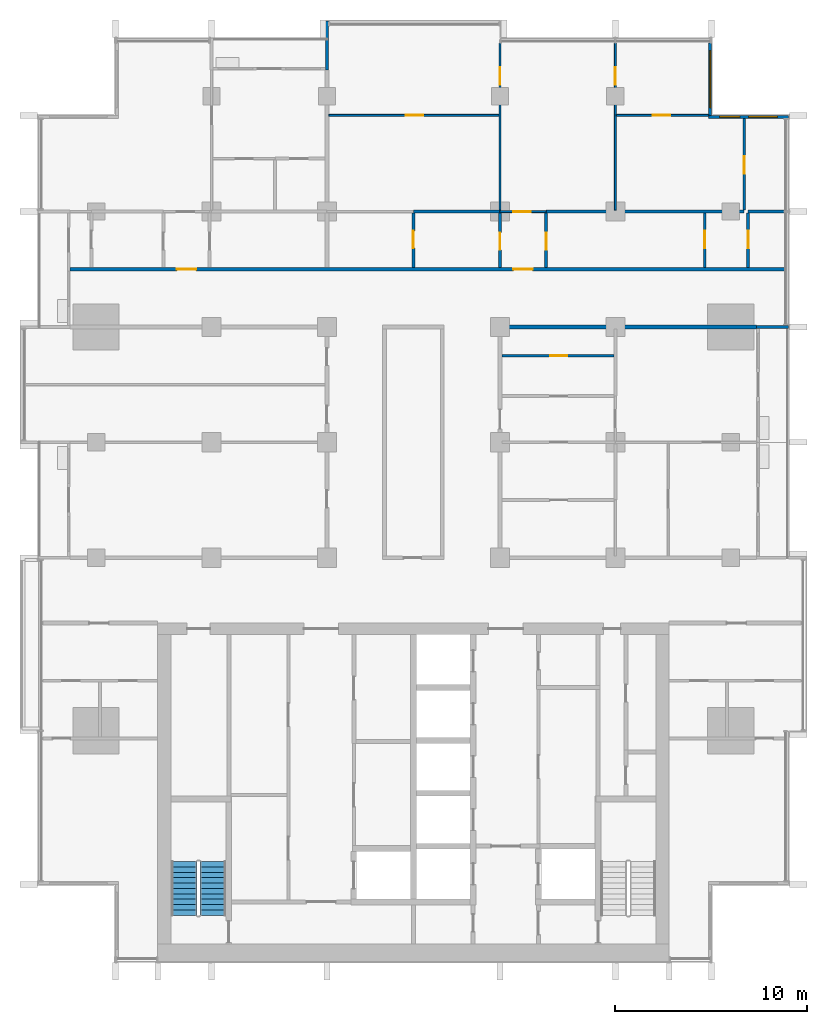
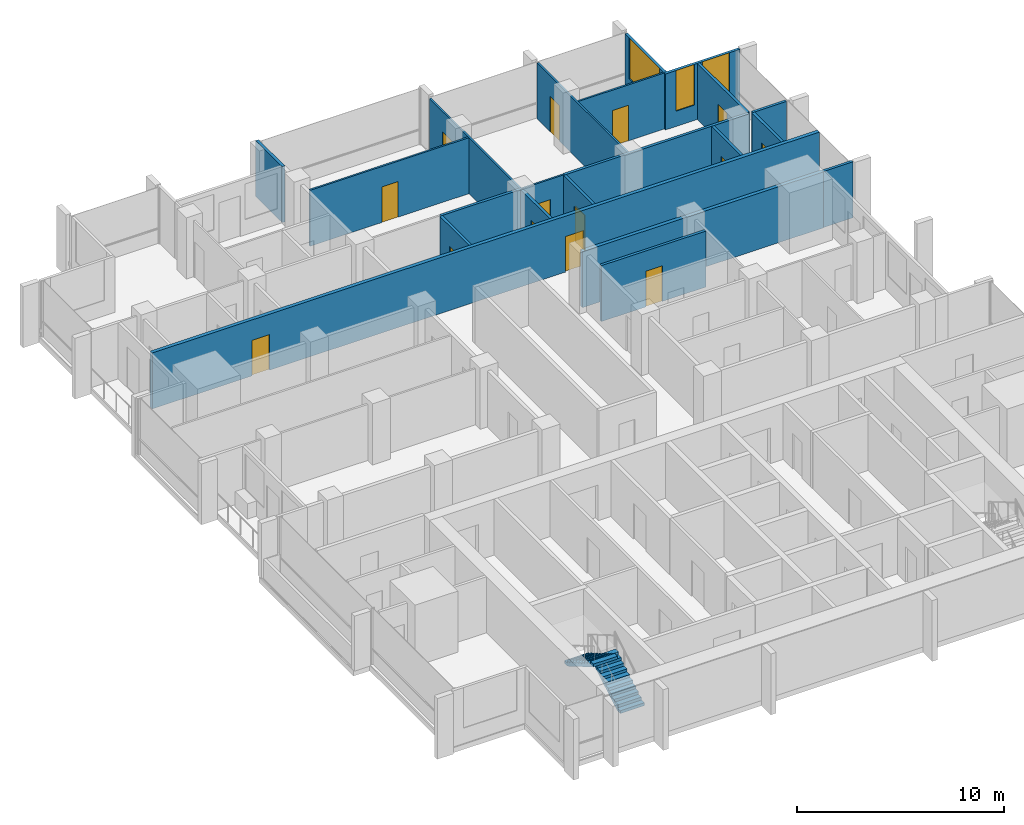
# One storey, part 11 of 17: 21 walls, 14 doors, 3 windows, 2 stair flights, 17 openings, 1 element without a shape of its own.
"""IFC4 building model written with IfcOpenShell, lengths in metres."""

from ifc_helpers import new_model, si_unit, direction, frame, frame_2d, origin, place, context, subcontext, project, spatial, polyline, rectangle, outline, extrude, material, layer, layer_set, type_object, element, fill, aggregate, save


model = new_model("IFC4")

# Units and contexts
model_context = context("Model", 3, precision=1e-05, world=origin(), true_north=direction((0.0, 1.0)))
body_context = subcontext(model_context, "Body", "Model", "MODEL_VIEW")
ifc_project = project(units=[si_unit("LENGTHUNIT", "METRE"), si_unit("AREAUNIT", "SQUARE_METRE"), si_unit("VOLUMEUNIT", "CUBIC_METRE"), si_unit("PLANEANGLEUNIT", "RADIAN"), si_unit("MASSUNIT", "GRAM", prefix="KILO")], contexts=[model_context])

# Site, building, storey
site_placement = place(None, origin())
site = spatial("IfcSite", under=ifc_project, at=site_placement, CompositionType="ELEMENT")
building_placement = place(site_placement, origin())
building = spatial("IfcBuilding", under=site, at=building_placement, Name="Finial Court Residences", CompositionType="ELEMENT")
storey_placement = place(building_placement, frame((0.0, 0.0, 152.89990234375)))
storey = spatial("IfcBuildingStorey", under=building, at=storey_placement, Name="L37", CompositionType="ELEMENT", Elevation=152.89990234375)

# Wall
ifc_material_1 = material(Name="Gypsum board")
ifc_layer_1 = layer(ifc_material_1, 0.02490234375)
ifc_material_2 = material(Name="Acoustic mineral wool in double frame")
ifc_layer_2 = layer(ifc_material_2, 0.14990234375)
ifc_layer_3 = layer(ifc_material_1, 0.02490234375)
ifc_layer_set_1 = layer_set([ifc_layer_1, ifc_layer_2, ifc_layer_3], Name="Corridor wall 200, 1 hour")
wall_type_1 = type_object("IfcWallType", Name="Corridor wall 200, 1 hour", PredefinedType="PARTITIONING", material=ifc_layer_set_1)
wall_1_placement = place(storey_placement, frame((4.39990234375, 7.5, 0.0), z_axis=(0.0, 0.0, 1.0), x_axis=(1.0, 0.0, 0.0)))
element("IfcWall", 1, at=wall_1_placement, inside=storey, type_object=wall_type_1, Name="Partition L37-018", PredefinedType="PARTITIONING", context=body_context, shape_type="SweptSolid", body=[
    extrude(rectangle(XDim=13.4501953125, YDim=0.199951171875, at=frame_2d((6.72509765625, 0.0))), origin(), (0.0, 0.0, 1.0), 3.300048828125),
])

# Wall, openings, doors
wall_2_placement = place(storey_placement, frame((-17.85009765625, 10.5, 0.0), z_axis=(0.0, 0.0, 1.0), x_axis=(1.0, 0.0, 0.0)))
wall_2 = element("IfcWall", 2, at=wall_2_placement, inside=storey, type_object=wall_type_1, Name="Partition L37-019", PredefinedType="PARTITIONING", context=body_context, shape_type="SweptSolid", body=[
    extrude(rectangle(XDim=37.2001953125, YDim=0.199951171875, at=frame_2d((18.60009765625, 0.0))), origin(), (0.0, 0.0, 1.0), 3.300048828125),
])
opening_1_placement = place(wall_2_placement, frame((5.550048828125, 0.0, 0.0)))
opening_1 = element("IfcOpeningElement", 3, at=opening_1_placement, cuts=wall_2, Name="Opening L37-D015", PredefinedType="OPENING", context=body_context, shape_type="SweptSolid", body=[
    extrude(rectangle(XDim=1.0, YDim=2.10009765625, at=frame_2d((0.5, 1.050048828125))), frame((0.0, 0.10986328125, 0.0), z_axis=(0.0, -1.0, 0.0), x_axis=(1.0, 0.0, 0.0)), (0.0, 0.0, 1.0), 0.219970703125),
])
opening_2_placement = place(wall_2_placement, frame((23.050048828125, 0.0, 0.0)))
opening_2 = element("IfcOpeningElement", 4, at=opening_2_placement, cuts=wall_2, Name="Opening L37-D016", PredefinedType="OPENING", context=body_context, shape_type="SweptSolid", body=[
    extrude(rectangle(XDim=1.0, YDim=2.10009765625, at=frame_2d((0.5, 1.050048828125))), frame((0.0, 0.10986328125, 0.0), z_axis=(0.0, -1.0, 0.0), x_axis=(1.0, 0.0, 0.0)), (0.0, 0.0, 1.0), 0.219970703125),
])
ifc_material_3 = material(Name="Timber door leaf in hollow metal frame", Category="wood")
door_type_1 = type_object("IfcDoorType", Name="Fire door set 1000 x 2100, 30 minutes", OperationType="SINGLE_SWING_LEFT", PredefinedType="DOOR", material=ifc_material_3)
door_1_placement = place(opening_1_placement, origin())
door_1 = element("IfcDoor", 5, at=door_1_placement, inside=storey, type_object=door_type_1, Name="Door L37-D015", OperationType="SINGLE_SWING_RIGHT", OverallHeight=2.10009765625, OverallWidth=1.0, PredefinedType="DOOR", context=body_context, shape_type="SweptSolid", body=[
    extrude(rectangle(XDim=1.0, YDim=2.10009765625, at=frame_2d((0.5, 1.050048828125))), frame((0.0, 0.02490234375, 0.0), z_axis=(0.0, -1.0, 0.0), x_axis=(1.0, 0.0, 0.0)), (0.0, 0.0, 1.0), 0.050048828125),
])
fill(opening_1, door_1)
door_2_placement = place(opening_2_placement, origin())
door_2 = element("IfcDoor", 6, at=door_2_placement, inside=storey, type_object=door_type_1, Name="Door L37-D016", OperationType="SINGLE_SWING_LEFT", OverallHeight=2.10009765625, OverallWidth=1.0, PredefinedType="DOOR", context=body_context, shape_type="SweptSolid", body=[
    extrude(rectangle(XDim=1.0, YDim=2.10009765625, at=frame_2d((0.5, 1.050048828125))), frame((0.0, 0.02490234375, 0.0), z_axis=(0.0, -1.0, 0.0), x_axis=(1.0, 0.0, 0.0)), (0.0, 0.0, 1.0), 0.050048828125),
])
fill(opening_2, door_2)

# Wall, opening, door
ifc_layer_4 = layer(ifc_material_1, 0.012451171875)
ifc_material_4 = material(Name="Mineral wool in light-gauge frame")
ifc_layer_5 = layer(ifc_material_4, 0.074951171875)
ifc_layer_6 = layer(ifc_material_1, 0.012451171875)
ifc_layer_set_2 = layer_set([ifc_layer_4, ifc_layer_5, ifc_layer_6], Name="Gypsum board partition 100")
wall_type_2 = type_object("IfcWallType", Name="Gypsum board partition 100", PredefinedType="PARTITIONING", material=ifc_layer_set_2)
wall_3_placement = place(storey_placement, frame((4.5, 13.5, 0.0), z_axis=(0.0, 0.0, 1.0), x_axis=(1.0, 0.0, 0.0)))
wall_3 = element("IfcWall", 7, at=wall_3_placement, inside=storey, type_object=wall_type_2, Name="Partition L37-023", PredefinedType="PARTITIONING", context=body_context, shape_type="SweptSolid", body=[
    extrude(rectangle(XDim=2.39990234375, YDim=0.10009765625, at=frame_2d((1.199951171875, 0.0))), origin(), (0.0, 0.0, 1.0), 3.300048828125),
])
opening_3_placement = place(wall_3_placement, frame((0.699951171875, 0.0, 0.0)))
opening_3 = element("IfcOpeningElement", 8, at=opening_3_placement, cuts=wall_3, Name="Opening L37-D018", PredefinedType="OPENING", context=body_context, shape_type="SweptSolid", body=[
    extrude(rectangle(XDim=0.89990234375, YDim=2.10009765625, at=frame_2d((0.449951171875, 1.050048828125))), frame((0.0, 0.06005859375, 0.0), z_axis=(0.0, -1.0, 0.0), x_axis=(1.0, 0.0, 0.0)), (0.0, 0.0, 1.0), 0.1201171875),
])
ifc_material_5 = material(Name="Timber door leaf in timber frame", Category="wood")
door_type_2 = type_object("IfcDoorType", Name="Door set 900 x 2100", OperationType="SINGLE_SWING_LEFT", PredefinedType="DOOR", material=ifc_material_5)
door_3_placement = place(opening_3_placement, origin())
door_3 = element("IfcDoor", 9, at=door_3_placement, inside=storey, type_object=door_type_2, Name="Door L37-D018", OperationType="SINGLE_SWING_LEFT", OverallHeight=2.10009765625, OverallWidth=0.89990234375, PredefinedType="DOOR", context=body_context, shape_type="SweptSolid", body=[
    extrude(rectangle(XDim=0.89990234375, YDim=2.10009765625, at=frame_2d((0.449951171875, 1.050048828125))), frame((0.0, 0.02490234375, 0.0), z_axis=(0.0, -1.0, 0.0), x_axis=(1.0, 0.0, 0.0)), (0.0, 0.0, 1.0), 0.050048828125),
])
fill(opening_3, door_3)

wall_4_placement = place(storey_placement, frame((-4.39990234375, 18.5, 0.0), z_axis=(0.0, 0.0, 1.0), x_axis=(1.0, 0.0, 0.0)))
wall_4 = element("IfcWall", 10, at=wall_4_placement, inside=storey, type_object=wall_type_2, Name="Partition L37-031", PredefinedType="PARTITIONING", context=body_context, shape_type="SweptSolid", body=[
    extrude(rectangle(XDim=8.849853515625, YDim=0.10009765625, at=frame_2d((4.4248046875, 0.0))), origin(), (0.0, 0.0, 1.0), 3.300048828125),
])
opening_4_placement = place(wall_4_placement, frame((4.0, 0.0, 0.0)))
opening_4 = element("IfcOpeningElement", 11, at=opening_4_placement, cuts=wall_4, Name="Opening L37-D021", PredefinedType="OPENING", context=body_context, shape_type="SweptSolid", body=[
    extrude(rectangle(XDim=0.89990234375, YDim=2.10009765625, at=frame_2d((0.449951171875, 1.050048828125))), frame((0.0, 0.06005859375, 0.0), z_axis=(0.0, -1.0, 0.0), x_axis=(1.0, 0.0, 0.0)), (0.0, 0.0, 1.0), 0.1201171875),
])
door_4_placement = place(opening_4_placement, origin())
door_4 = element("IfcDoor", 12, at=door_4_placement, inside=storey, type_object=door_type_2, Name="Door L37-D021", OperationType="SINGLE_SWING_LEFT", OverallHeight=2.10009765625, OverallWidth=0.89990234375, PredefinedType="DOOR", context=body_context, shape_type="SweptSolid", body=[
    extrude(rectangle(XDim=0.89990234375, YDim=2.10009765625, at=frame_2d((0.449951171875, 1.050048828125))), frame((0.0, 0.02490234375, 0.0), z_axis=(0.0, -1.0, 0.0), x_axis=(1.0, 0.0, 0.0)), (0.0, 0.0, 1.0), 0.050048828125),
])
fill(opening_4, door_4)

wall_5_placement = place(storey_placement, frame((10.550048828125, 18.5, 0.0), z_axis=(0.0, 0.0, 1.0), x_axis=(1.0, 0.0, 0.0)))
wall_5 = element("IfcWall", 13, at=wall_5_placement, inside=storey, type_object=wall_type_2, Name="Partition L37-032", PredefinedType="PARTITIONING", context=body_context, shape_type="SweptSolid", body=[
    extrude(rectangle(XDim=4.800048828125, YDim=0.10009765625, at=frame_2d((2.39990234375, 0.0))), origin(), (0.0, 0.0, 1.0), 3.300048828125),
])
opening_5_placement = place(wall_5_placement, frame((1.89990234375, 0.0, 0.0)))
opening_5 = element("IfcOpeningElement", 14, at=opening_5_placement, cuts=wall_5, Name="Opening L37-D022", PredefinedType="OPENING", context=body_context, shape_type="SweptSolid", body=[
    extrude(rectangle(XDim=0.89990234375, YDim=2.10009765625, at=frame_2d((0.449951171875, 1.050048828125))), frame((0.0, 0.06005859375, 0.0), z_axis=(0.0, -1.0, 0.0), x_axis=(1.0, 0.0, 0.0)), (0.0, 0.0, 1.0), 0.1201171875),
])
door_5_placement = place(opening_5_placement, origin())
door_5 = element("IfcDoor", 15, at=door_5_placement, inside=storey, type_object=door_type_2, Name="Door L37-D022", OperationType="SINGLE_SWING_RIGHT", OverallHeight=2.10009765625, OverallWidth=0.89990234375, PredefinedType="DOOR", context=body_context, shape_type="SweptSolid", body=[
    extrude(rectangle(XDim=0.89990234375, YDim=2.10009765625, at=frame_2d((0.449951171875, 1.050048828125))), frame((0.0, 0.02490234375, 0.0), z_axis=(0.0, -1.0, 0.0), x_axis=(1.0, 0.0, 0.0)), (0.0, 0.0, 1.0), 0.050048828125),
])
fill(opening_5, door_5)

wall_6_placement = place(storey_placement, frame((4.5, 13.574951171875, 0.0), z_axis=(0.0, 0.0, 1.0), x_axis=(0.0, 1.0, 0.0)))
wall_6 = element("IfcWall", 16, at=wall_6_placement, inside=storey, type_object=wall_type_2, Name="Partition L37-046", PredefinedType="PARTITIONING", context=body_context, shape_type="SweptSolid", body=[
    extrude(rectangle(XDim=8.6875, YDim=0.10009765625, at=frame_2d((4.34375, 0.0))), origin(), (0.0, 0.0, 1.0), 3.300048828125),
])
opening_6_placement = place(wall_6_placement, frame((6.52490234375, 0.0, 0.0)))
opening_6 = element("IfcOpeningElement", 17, at=opening_6_placement, cuts=wall_6, Name="Opening L37-D032", PredefinedType="OPENING", context=body_context, shape_type="SweptSolid", body=[
    extrude(rectangle(XDim=0.89990234375, YDim=2.10009765625, at=frame_2d((0.449951171875, 1.050048828125))), frame((0.0, 0.06005859375, 0.0), z_axis=(0.0, -1.0, 0.0), x_axis=(1.0, 0.0, 0.0)), (0.0, 0.0, 1.0), 0.1201171875),
])
door_6_placement = place(opening_6_placement, origin())
door_6 = element("IfcDoor", 18, at=door_6_placement, inside=storey, type_object=door_type_2, Name="Door L37-D032", OperationType="SINGLE_SWING_LEFT", OverallHeight=2.10009765625, OverallWidth=0.89990234375, PredefinedType="DOOR", context=body_context, shape_type="SweptSolid", body=[
    extrude(rectangle(XDim=0.89990234375, YDim=2.10009765625, at=frame_2d((0.449951171875, 1.050048828125))), frame((0.0, 0.02490234375, 0.0), z_axis=(0.0, -1.0, 0.0), x_axis=(1.0, 0.0, 0.0)), (0.0, 0.0, 1.0), 0.050048828125),
])
fill(opening_6, door_6)

wall_7_placement = place(storey_placement, frame((10.5, 13.574951171875, 0.0), z_axis=(0.0, 0.0, 1.0), x_axis=(0.0, 1.0, 0.0)))
wall_7 = element("IfcWall", 19, at=wall_7_placement, inside=storey, type_object=wall_type_2, Name="Partition L37-051", PredefinedType="PARTITIONING", context=body_context, shape_type="SweptSolid", body=[
    extrude(rectangle(XDim=8.6875, YDim=0.10009765625, at=frame_2d((4.34375, 0.0))), origin(), (0.0, 0.0, 1.0), 3.300048828125),
])
opening_7_placement = place(wall_7_placement, frame((6.52490234375, 0.0, 0.0)))
opening_7 = element("IfcOpeningElement", 20, at=opening_7_placement, cuts=wall_7, Name="Opening L37-D036", PredefinedType="OPENING", context=body_context, shape_type="SweptSolid", body=[
    extrude(rectangle(XDim=0.89990234375, YDim=2.10009765625, at=frame_2d((0.449951171875, 1.050048828125))), frame((0.0, 0.06005859375, 0.0), z_axis=(0.0, -1.0, 0.0), x_axis=(1.0, 0.0, 0.0)), (0.0, 0.0, 1.0), 0.1201171875),
])
door_7_placement = place(opening_7_placement, origin())
door_7 = element("IfcDoor", 21, at=door_7_placement, inside=storey, type_object=door_type_2, Name="Door L37-D036", OperationType="SINGLE_SWING_RIGHT", OverallHeight=2.10009765625, OverallWidth=0.89990234375, PredefinedType="DOOR", context=body_context, shape_type="SweptSolid", body=[
    extrude(rectangle(XDim=0.89990234375, YDim=2.10009765625, at=frame_2d((0.449951171875, 1.050048828125))), frame((0.0, 0.02490234375, 0.0), z_axis=(0.0, -1.0, 0.0), x_axis=(1.0, 0.0, 0.0)), (0.0, 0.0, 1.0), 0.050048828125),
])
fill(opening_7, door_7)

ifc_material_6 = material(Name="Moisture-resistant gypsum board")
ifc_layer_7 = layer(ifc_material_6, 0.012451171875)
ifc_layer_8 = layer(ifc_material_4, 0.125)
ifc_layer_9 = layer(ifc_material_6, 0.012451171875)
ifc_layer_set_3 = layer_set([ifc_layer_7, ifc_layer_8, ifc_layer_9], Name="Gypsum board wet-area partition 150")
wall_type_3 = type_object("IfcWallType", Name="Gypsum board wet-area partition 150", PredefinedType="PARTITIONING", material=ifc_layer_set_3)
wall_8_placement = place(storey_placement, frame((4.60009765625, 6.0, 0.0), z_axis=(0.0, 0.0, 1.0), x_axis=(1.0, 0.0, 0.0)))
wall_8 = element("IfcWall", 22, at=wall_8_placement, inside=storey, type_object=wall_type_3, Name="Partition L37-015", PredefinedType="PARTITIONING", context=body_context, shape_type="SweptSolid", body=[
    extrude(rectangle(XDim=5.824951171875, YDim=0.14990234375, at=frame_2d((2.91259765625, 0.0))), origin(), (0.0, 0.0, 1.0), 3.300048828125),
])
opening_8_placement = place(wall_8_placement, frame((2.5, 0.0, 0.0)))
opening_8 = element("IfcOpeningElement", 23, at=opening_8_placement, cuts=wall_8, Name="Opening L37-D014", PredefinedType="OPENING", context=body_context, shape_type="SweptSolid", body=[
    extrude(rectangle(XDim=0.89990234375, YDim=2.10009765625, at=frame_2d((0.449951171875, 1.050048828125))), frame((0.0, 0.0849609375, 0.0), z_axis=(0.0, -1.0, 0.0), x_axis=(1.0, 0.0, 0.0)), (0.0, 0.0, 1.0), 0.169921875),
])
door_8_placement = place(opening_8_placement, origin())
door_8 = element("IfcDoor", 24, at=door_8_placement, inside=storey, type_object=door_type_2, Name="Door L37-D014", OperationType="SINGLE_SWING_LEFT", OverallHeight=2.10009765625, OverallWidth=0.89990234375, PredefinedType="DOOR", context=body_context, shape_type="SweptSolid", body=[
    extrude(rectangle(XDim=0.89990234375, YDim=2.10009765625, at=frame_2d((0.449951171875, 1.050048828125))), frame((0.0, 0.02490234375, 0.0), z_axis=(0.0, -1.0, 0.0), x_axis=(1.0, 0.0, 0.0)), (0.0, 0.0, 1.0), 0.050048828125),
])
fill(opening_8, door_8)

# Walls
wall_9_placement = place(storey_placement, frame((0.0, 13.5, 0.0), z_axis=(0.0, 0.0, 1.0), x_axis=(1.0, 0.0, 0.0)))
element("IfcWall", 25, at=wall_9_placement, inside=storey, type_object=wall_type_3, Name="Partition L37-026", PredefinedType="PARTITIONING", context=body_context, shape_type="SweptSolid", body=[
    extrude(rectangle(XDim=4.5, YDim=0.14990234375, at=frame_2d((2.25, 0.0))), origin(), (0.0, 0.0, 1.0), 3.300048828125),
])
wall_10_placement = place(storey_placement, frame((6.89990234375, 13.5, 0.0), z_axis=(0.0, 0.0, 1.0), x_axis=(1.0, 0.0, 0.0)))
element("IfcWall", 26, at=wall_10_placement, inside=storey, type_object=wall_type_3, Name="Partition L37-027", PredefinedType="PARTITIONING", context=body_context, shape_type="SweptSolid", body=[
    extrude(rectangle(XDim=10.300048828125, YDim=0.14990234375, at=frame_2d((5.14990234375, 0.0))), origin(), (0.0, 0.0, 1.0), 3.300048828125),
])
wall_11_placement = place(storey_placement, frame((17.39990234375, 13.5, 0.0), z_axis=(0.0, 0.0, 1.0), x_axis=(1.0, 0.0, 0.0)))
element("IfcWall", 27, at=wall_11_placement, inside=storey, type_object=wall_type_3, Name="Partition L37-028", PredefinedType="PARTITIONING", context=body_context, shape_type="SweptSolid", body=[
    extrude(rectangle(XDim=1.862548828125, YDim=0.14990234375, at=frame_2d((0.93115234375, 0.0))), origin(), (0.0, 0.0, 1.0), 3.300048828125),
])

# Wall, opening, door
wall_12_placement = place(storey_placement, frame((0.0, 10.60009765625, 0.0), z_axis=(0.0, 0.0, 1.0), x_axis=(0.0, 1.0, 0.0)))
wall_12 = element("IfcWall", 28, at=wall_12_placement, inside=storey, type_object=wall_type_3, Name="Partition L37-043", PredefinedType="PARTITIONING", context=body_context, shape_type="SweptSolid", body=[
    extrude(rectangle(XDim=2.824951171875, YDim=0.14990234375, at=frame_2d((1.41259765625, 0.0))), origin(), (0.0, 0.0, 1.0), 3.300048828125),
])
opening_9_placement = place(wall_12_placement, frame((1.0, 0.0, 0.0)))
opening_9 = element("IfcOpeningElement", 29, at=opening_9_placement, cuts=wall_12, Name="Opening L37-D030", PredefinedType="OPENING", context=body_context, shape_type="SweptSolid", body=[
    extrude(rectangle(XDim=0.89990234375, YDim=2.10009765625, at=frame_2d((0.449951171875, 1.050048828125))), frame((0.0, 0.0849609375, 0.0), z_axis=(0.0, -1.0, 0.0), x_axis=(1.0, 0.0, 0.0)), (0.0, 0.0, 1.0), 0.169921875),
])
door_9_placement = place(opening_9_placement, origin())
door_9 = element("IfcDoor", 30, at=door_9_placement, inside=storey, type_object=door_type_2, Name="Door L37-D030", OperationType="SINGLE_SWING_RIGHT", OverallHeight=2.10009765625, OverallWidth=0.89990234375, PredefinedType="DOOR", context=body_context, shape_type="SweptSolid", body=[
    extrude(rectangle(XDim=0.89990234375, YDim=2.10009765625, at=frame_2d((0.449951171875, 1.050048828125))), frame((0.0, 0.02490234375, 0.0), z_axis=(0.0, -1.0, 0.0), x_axis=(1.0, 0.0, 0.0)), (0.0, 0.0, 1.0), 0.050048828125),
])
fill(opening_9, door_9)

wall_13_placement = place(storey_placement, frame((4.5, 10.60009765625, 0.0), z_axis=(0.0, 0.0, 1.0), x_axis=(0.0, 1.0, 0.0)))
wall_13 = element("IfcWall", 31, at=wall_13_placement, inside=storey, type_object=wall_type_3, Name="Partition L37-047", PredefinedType="PARTITIONING", context=body_context, shape_type="SweptSolid", body=[
    extrude(rectangle(XDim=2.824951171875, YDim=0.14990234375, at=frame_2d((1.41259765625, 0.0))), origin(), (0.0, 0.0, 1.0), 3.300048828125),
])
opening_10_placement = place(wall_13_placement, frame((0.89990234375, 0.0, 0.0)))
opening_10 = element("IfcOpeningElement", 32, at=opening_10_placement, cuts=wall_13, Name="Opening L37-D033", PredefinedType="OPENING", context=body_context, shape_type="SweptSolid", body=[
    extrude(rectangle(XDim=0.89990234375, YDim=2.10009765625, at=frame_2d((0.449951171875, 1.050048828125))), frame((0.0, 0.0849609375, 0.0), z_axis=(0.0, -1.0, 0.0), x_axis=(1.0, 0.0, 0.0)), (0.0, 0.0, 1.0), 0.169921875),
])
door_10_placement = place(opening_10_placement, origin())
door_10 = element("IfcDoor", 33, at=door_10_placement, inside=storey, type_object=door_type_2, Name="Door L37-D033", OperationType="SINGLE_SWING_RIGHT", OverallHeight=2.10009765625, OverallWidth=0.89990234375, PredefinedType="DOOR", context=body_context, shape_type="SweptSolid", body=[
    extrude(rectangle(XDim=0.89990234375, YDim=2.10009765625, at=frame_2d((0.449951171875, 1.050048828125))), frame((0.0, 0.02490234375, 0.0), z_axis=(0.0, -1.0, 0.0), x_axis=(1.0, 0.0, 0.0)), (0.0, 0.0, 1.0), 0.050048828125),
])
fill(opening_10, door_10)

wall_14_placement = place(storey_placement, frame((6.89990234375, 10.60009765625, 0.0), z_axis=(0.0, 0.0, 1.0), x_axis=(0.0, 1.0, 0.0)))
wall_14 = element("IfcWall", 34, at=wall_14_placement, inside=storey, type_object=wall_type_3, Name="Partition L37-048", PredefinedType="PARTITIONING", context=body_context, shape_type="SweptSolid", body=[
    extrude(rectangle(XDim=2.824951171875, YDim=0.14990234375, at=frame_2d((1.41259765625, 0.0))), origin(), (0.0, 0.0, 1.0), 3.300048828125),
])
opening_11_placement = place(wall_14_placement, frame((0.89990234375, 0.0, 0.0)))
opening_11 = element("IfcOpeningElement", 35, at=opening_11_placement, cuts=wall_14, Name="Opening L37-D034", PredefinedType="OPENING", context=body_context, shape_type="SweptSolid", body=[
    extrude(rectangle(XDim=0.89990234375, YDim=2.10009765625, at=frame_2d((0.449951171875, 1.050048828125))), frame((0.0, 0.0849609375, 0.0), z_axis=(0.0, -1.0, 0.0), x_axis=(1.0, 0.0, 0.0)), (0.0, 0.0, 1.0), 0.169921875),
])
door_11_placement = place(opening_11_placement, origin())
door_11 = element("IfcDoor", 36, at=door_11_placement, inside=storey, type_object=door_type_2, Name="Door L37-D034", OperationType="SINGLE_SWING_LEFT", OverallHeight=2.10009765625, OverallWidth=0.89990234375, PredefinedType="DOOR", context=body_context, shape_type="SweptSolid", body=[
    extrude(rectangle(XDim=0.89990234375, YDim=2.10009765625, at=frame_2d((0.449951171875, 1.050048828125))), frame((0.0, 0.02490234375, 0.0), z_axis=(0.0, -1.0, 0.0), x_axis=(1.0, 0.0, 0.0)), (0.0, 0.0, 1.0), 0.050048828125),
])
fill(opening_11, door_11)

wall_15_placement = place(storey_placement, frame((15.14990234375, 10.60009765625, 0.0), z_axis=(0.0, 0.0, 1.0), x_axis=(0.0, 1.0, 0.0)))
wall_15 = element("IfcWall", 37, at=wall_15_placement, inside=storey, type_object=wall_type_3, Name="Partition L37-055", PredefinedType="PARTITIONING", context=body_context, shape_type="SweptSolid", body=[
    extrude(rectangle(XDim=2.824951171875, YDim=0.14990234375, at=frame_2d((1.41259765625, 0.0))), origin(), (0.0, 0.0, 1.0), 3.300048828125),
])
opening_12_placement = place(wall_15_placement, frame((1.0, 0.0, 0.0)))
opening_12 = element("IfcOpeningElement", 38, at=opening_12_placement, cuts=wall_15, Name="Opening L37-D038", PredefinedType="OPENING", context=body_context, shape_type="SweptSolid", body=[
    extrude(rectangle(XDim=0.89990234375, YDim=2.10009765625, at=frame_2d((0.449951171875, 1.050048828125))), frame((0.0, 0.0849609375, 0.0), z_axis=(0.0, -1.0, 0.0), x_axis=(1.0, 0.0, 0.0)), (0.0, 0.0, 1.0), 0.169921875),
])
door_12_placement = place(opening_12_placement, origin())
door_12 = element("IfcDoor", 39, at=door_12_placement, inside=storey, type_object=door_type_2, Name="Door L37-D038", OperationType="SINGLE_SWING_RIGHT", OverallHeight=2.10009765625, OverallWidth=0.89990234375, PredefinedType="DOOR", context=body_context, shape_type="SweptSolid", body=[
    extrude(rectangle(XDim=0.89990234375, YDim=2.10009765625, at=frame_2d((0.449951171875, 1.050048828125))), frame((0.0, 0.02490234375, 0.0), z_axis=(0.0, -1.0, 0.0), x_axis=(1.0, 0.0, 0.0)), (0.0, 0.0, 1.0), 0.050048828125),
])
fill(opening_12, door_12)

wall_16_placement = place(storey_placement, frame((17.199951171875, 13.574951171875, 0.0), z_axis=(0.0, 0.0, 1.0), x_axis=(0.0, 1.0, 0.0)))
wall_16 = element("IfcWall", 40, at=wall_16_placement, inside=storey, type_object=wall_type_3, Name="Partition L37-057", PredefinedType="PARTITIONING", context=body_context, shape_type="SweptSolid", body=[
    extrude(rectangle(XDim=4.775146484375, YDim=0.14990234375, at=frame_2d((2.3876953125, 0.0))), origin(), (0.0, 0.0, 1.0), 3.300048828125),
])
opening_13_placement = place(wall_16_placement, frame((1.89990234375, 0.0, 0.0)))
opening_13 = element("IfcOpeningElement", 41, at=opening_13_placement, cuts=wall_16, Name="Opening L37-D039", PredefinedType="OPENING", context=body_context, shape_type="SweptSolid", body=[
    extrude(rectangle(XDim=0.89990234375, YDim=2.10009765625, at=frame_2d((0.449951171875, 1.050048828125))), frame((0.0, 0.0849609375, 0.0), z_axis=(0.0, -1.0, 0.0), x_axis=(1.0, 0.0, 0.0)), (0.0, 0.0, 1.0), 0.169921875),
])
door_13_placement = place(opening_13_placement, origin())
door_13 = element("IfcDoor", 42, at=door_13_placement, inside=storey, type_object=door_type_2, Name="Door L37-D039", OperationType="SINGLE_SWING_LEFT", OverallHeight=2.10009765625, OverallWidth=0.89990234375, PredefinedType="DOOR", context=body_context, shape_type="SweptSolid", body=[
    extrude(rectangle(XDim=0.89990234375, YDim=2.10009765625, at=frame_2d((0.449951171875, 1.050048828125))), frame((0.0, 0.02490234375, 0.0), z_axis=(0.0, -1.0, 0.0), x_axis=(1.0, 0.0, 0.0)), (0.0, 0.0, 1.0), 0.050048828125),
])
fill(opening_13, door_13)

wall_17_placement = place(storey_placement, frame((17.39990234375, 10.60009765625, 0.0), z_axis=(0.0, 0.0, 1.0), x_axis=(0.0, 1.0, 0.0)))
wall_17 = element("IfcWall", 43, at=wall_17_placement, inside=storey, type_object=wall_type_3, Name="Partition L37-058", PredefinedType="PARTITIONING", context=body_context, shape_type="SweptSolid", body=[
    extrude(rectangle(XDim=2.824951171875, YDim=0.14990234375, at=frame_2d((1.41259765625, 0.0))), origin(), (0.0, 0.0, 1.0), 3.300048828125),
])
opening_14_placement = place(wall_17_placement, frame((1.0, 0.0, 0.0)))
opening_14 = element("IfcOpeningElement", 44, at=opening_14_placement, cuts=wall_17, Name="Opening L37-D040", PredefinedType="OPENING", context=body_context, shape_type="SweptSolid", body=[
    extrude(rectangle(XDim=0.89990234375, YDim=2.10009765625, at=frame_2d((0.449951171875, 1.050048828125))), frame((0.0, 0.0849609375, 0.0), z_axis=(0.0, -1.0, 0.0), x_axis=(1.0, 0.0, 0.0)), (0.0, 0.0, 1.0), 0.169921875),
])
door_14_placement = place(opening_14_placement, origin())
door_14 = element("IfcDoor", 45, at=door_14_placement, inside=storey, type_object=door_type_2, Name="Door L37-D040", OperationType="SINGLE_SWING_RIGHT", OverallHeight=2.10009765625, OverallWidth=0.89990234375, PredefinedType="DOOR", context=body_context, shape_type="SweptSolid", body=[
    extrude(rectangle(XDim=0.89990234375, YDim=2.10009765625, at=frame_2d((0.449951171875, 1.050048828125))), frame((0.0, 0.02490234375, 0.0), z_axis=(0.0, -1.0, 0.0), x_axis=(1.0, 0.0, 0.0)), (0.0, 0.0, 1.0), 0.050048828125),
])
fill(opening_14, door_14)

# Wall, opening, window
ifc_material_7 = material(Name="Natural limestone", Category="masonry")
ifc_layer_10 = layer(ifc_material_7, 0.14990234375)
ifc_layer_set_4 = layer_set([ifc_layer_10], Name="Limestone clad wall 150")
wall_type_4 = type_object("IfcWallType", Name="Limestone clad wall 150", PredefinedType="SOLIDWALL", material=ifc_layer_set_4)
wall_18_placement = place(storey_placement, frame((15.425048828125, 22.262451171875, 0.0), z_axis=(0.0, 0.0, 1.0), x_axis=(0.0, -1.0, 0.0)))
wall_18 = element("IfcWall", 46, at=wall_18_placement, inside=storey, type_object=wall_type_4, Name="E-L37-NWE18", PredefinedType="SOLIDWALL", context=body_context, shape_type="SweptSolid", body=[
    extrude(rectangle(XDim=3.762451171875, YDim=0.14990234375, at=frame_2d((1.88134765625, 0.0))), origin(), (0.0, 0.0, 1.0), 3.300048828125),
])
opening_15_placement = place(wall_18_placement, frame((0.401123046875, 0.0, 0.89990234375)))
opening_15 = element("IfcOpeningElement", 47, at=opening_15_placement, cuts=wall_18, Name="Opening WE37-07", PredefinedType="OPENING", context=body_context, shape_type="SweptSolid", body=[
    extrude(rectangle(XDim=2.9599609375, YDim=2.39990234375, at=frame_2d((1.47998046875, 1.199951171875))), frame((0.0, 0.0849609375, 0.0), z_axis=(0.0, -1.0, 0.0), x_axis=(1.0, 0.0, 0.0)), (0.0, 0.0, 1.0), 0.169921875),
])
ifc_material_8 = material(Name="Clear low-e glass", Category="glass")
window_type_1 = type_object("IfcWindowType", Name="Corner window 2960 x 2400", PartitioningType="SINGLE_PANEL", PredefinedType="WINDOW", material=ifc_material_8)
window_1_placement = place(opening_15_placement, origin())
window_1 = element("IfcWindow", 48, at=window_1_placement, inside=storey, type_object=window_type_1, Name="E-L37-NWE18-W1", OverallHeight=2.39990234375, OverallWidth=2.9599609375, PartitioningType="SINGLE_PANEL", PredefinedType="WINDOW", context=body_context, shape_type="SweptSolid", body=[
    extrude(rectangle(XDim=2.9599609375, YDim=2.39990234375, at=frame_2d((1.47998046875, 1.199951171875))), frame((0.0, 0.030029296875, 0.0), z_axis=(0.0, -1.0, 0.0), x_axis=(1.0, 0.0, 0.0)), (0.0, 0.0, 1.0), 0.06005859375),
])
fill(opening_15, window_1)

# Wall, openings, windows
wall_19_placement = place(storey_placement, frame((15.35009765625, 18.425048828125, 0.0), z_axis=(0.0, 0.0, 1.0), x_axis=(1.0, 0.0, 0.0)))
wall_19 = element("IfcWall", 49, at=wall_19_placement, inside=storey, type_object=wall_type_4, Name="E-L37-NWN19", PredefinedType="SOLIDWALL", context=body_context, shape_type="SweptSolid", body=[
    extrude(rectangle(XDim=4.14990234375, YDim=0.14990234375, at=frame_2d((2.074951171875, 0.0))), origin(), (0.0, 0.0, 1.0), 3.300048828125),
])
opening_16_placement = place(wall_19_placement, frame((0.574951171875, 0.0, 0.89990234375)))
opening_16 = element("IfcOpeningElement", 50, at=opening_16_placement, cuts=wall_19, Name="Opening WE37-08", PredefinedType="OPENING", context=body_context, shape_type="SweptSolid", body=[
    extrude(rectangle(XDim=1.050048828125, YDim=2.39990234375, at=frame_2d((0.52490234375, 1.199951171875))), frame((0.0, 0.0849609375, 0.0), z_axis=(0.0, -1.0, 0.0), x_axis=(1.0, 0.0, 0.0)), (0.0, 0.0, 1.0), 0.169921875),
])
opening_17_placement = place(wall_19_placement, frame((2.074951171875, 0.0, 0.89990234375)))
opening_17 = element("IfcOpeningElement", 51, at=opening_17_placement, cuts=wall_19, Name="Opening WE37-09", PredefinedType="OPENING", context=body_context, shape_type="SweptSolid", body=[
    extrude(rectangle(XDim=1.5, YDim=2.39990234375, at=frame_2d((0.75, 1.199951171875))), frame((0.0, 0.0849609375, 0.0), z_axis=(0.0, -1.0, 0.0), x_axis=(1.0, 0.0, 0.0)), (0.0, 0.0, 1.0), 0.169921875),
])
window_type_2 = type_object("IfcWindowType", Name="Corner window 1050 x 2400", PartitioningType="SINGLE_PANEL", PredefinedType="WINDOW", material=ifc_material_8)
window_2_placement = place(opening_16_placement, origin())
window_2 = element("IfcWindow", 52, at=window_2_placement, inside=storey, type_object=window_type_2, Name="E-L37-NWN19-W1", OverallHeight=2.39990234375, OverallWidth=1.050048828125, PartitioningType="SINGLE_PANEL", PredefinedType="WINDOW", context=body_context, shape_type="SweptSolid", body=[
    extrude(rectangle(XDim=1.050048828125, YDim=2.39990234375, at=frame_2d((0.52490234375, 1.199951171875))), frame((0.0, 0.030029296875, 0.0), z_axis=(0.0, -1.0, 0.0), x_axis=(1.0, 0.0, 0.0)), (0.0, 0.0, 1.0), 0.06005859375),
])
fill(opening_16, window_2)
window_type_3 = type_object("IfcWindowType", Name="Corner window 1500 x 2400", PartitioningType="SINGLE_PANEL", PredefinedType="WINDOW", material=ifc_material_8)
window_3_placement = place(opening_17_placement, origin())
window_3 = element("IfcWindow", 53, at=window_3_placement, inside=storey, type_object=window_type_3, Name="E-L37-NWN19-W2", OverallHeight=2.39990234375, OverallWidth=1.5, PartitioningType="SINGLE_PANEL", PredefinedType="WINDOW", context=body_context, shape_type="SweptSolid", body=[
    extrude(rectangle(XDim=1.5, YDim=2.39990234375, at=frame_2d((0.75, 1.199951171875))), frame((0.0, 0.030029296875, 0.0), z_axis=(0.0, -1.0, 0.0), x_axis=(1.0, 0.0, 0.0)), (0.0, 0.0, 1.0), 0.06005859375),
])
fill(opening_17, window_3)

# Walls
wall_20_placement = place(storey_placement, frame((-4.5, 20.85009765625, 0.0), z_axis=(0.0, 0.0, 1.0), x_axis=(0.0, 1.0, 0.0)))
element("IfcWall", 54, at=wall_20_placement, inside=storey, type_object=wall_type_4, Name="E-L37-BALN2-P2", PredefinedType="SOLIDWALL", context=body_context, shape_type="SweptSolid", body=[
    extrude(rectangle(XDim=2.5498046875, YDim=0.14990234375, at=frame_2d((1.27490234375, 0.0))), origin(), (0.0, 0.0, 1.0), 3.300048828125),
])
wall_21_placement = place(storey_placement, frame((17.85009765625, 7.5, 0.0), z_axis=(0.0, 0.0, 1.0), x_axis=(1.0, 0.0, 0.0)))
element("IfcWall", 55, at=wall_21_placement, inside=storey, type_object=wall_type_4, Name="E-L37-BALE4-P2", PredefinedType="SOLIDWALL", context=body_context, shape_type="SweptSolid", body=[
    extrude(rectangle(XDim=1.64990234375, YDim=0.14990234375, at=frame_2d((0.824951171875, 0.0))), origin(), (0.0, 0.0, 1.0), 3.300048828125),
])

# Stair, stair flights
ifc_material_9 = material(Name="Concrete C50/60", Category="concrete")
stair_type = type_object("IfcStairType", Name="Exit stair 22 risers of 163.6 mm", PredefinedType="HALF_TURN_STAIR", material=ifc_material_9)
stair_placement = place(storey_placement, origin())
stair = element("IfcStair", 56, at=stair_placement, inside=storey, type_object=stair_type, Name="L37 Exit stair ST-1", PredefinedType="HALF_TURN_STAIR")
stair_flight_type = type_object("IfcStairFlightType", Name="Exit stair flight", PredefinedType="STRAIGHT", material=ifc_material_9)
stair_flight_1_placement = place(storey_placement, frame((-10.425048828125, -23.10009765625, 0.0), z_axis=(0.0, 0.0, 1.0), x_axis=(0.0, 1.0, 0.0)))
stair_flight_1 = element("IfcStairFlight", 57, at=stair_flight_1_placement, type_object=stair_flight_type, Name="ST-1 flight 1", NumberOfRisers=11, NumberOfTreads=10, PredefinedType="STRAIGHT", RiserHeight=0.163636364, TreadLength=0.28, context=body_context, shape_type="SweptSolid", body=[
    extrude(outline(polyline([(0.0, 0.0), (0.0, 0.16357421875), (0.280029296875, 0.16357421875), (0.280029296875, 0.327392578125), (0.56005859375, 0.327392578125), (0.56005859375, 0.490966796875), (0.840087890625, 0.490966796875), (0.840087890625, 0.654541015625), (1.1201171875, 0.654541015625), (1.1201171875, 0.818115234375), (1.39990234375, 0.818115234375), (1.39990234375, 0.98193359375), (1.679931640625, 0.98193359375), (1.679931640625, 1.1455078125), (1.9599609375, 1.1455078125), (1.9599609375, 1.30908203125), (2.239990234375, 1.30908203125), (2.239990234375, 1.47265625), (2.52001953125, 1.47265625), (2.52001953125, 1.636474609375), (2.800048828125, 1.636474609375), (2.800048828125, 1.800048828125), (2.800048828125, 1.462646484375), (0.297119140625, 0.0), (0.0, 0.0)])), frame((0.0, 0.675048828125, 0.0), z_axis=(0.0, -1.0, 0.0), x_axis=(1.0, 0.0, 0.0)), (0.0, 0.0, 1.0), 1.35009765625),
])
stair_flight_2_placement = place(storey_placement, frame((-11.925048828125, -20.300048828125, 1.800048828125), z_axis=(0.0, 0.0, 1.0), x_axis=(0.0, -1.0, 0.0)))
stair_flight_2 = element("IfcStairFlight", 58, at=stair_flight_2_placement, type_object=stair_flight_type, Name="ST-1 flight 2", NumberOfRisers=11, NumberOfTreads=10, PredefinedType="STRAIGHT", RiserHeight=0.163636364, TreadLength=0.28, context=body_context, shape_type="SweptSolid", body=[
    extrude(outline(polyline([(0.0, 0.0), (0.0, 0.16357421875), (0.280029296875, 0.16357421875), (0.280029296875, 0.327392578125), (0.56005859375, 0.327392578125), (0.56005859375, 0.490966796875), (0.840087890625, 0.490966796875), (0.840087890625, 0.654541015625), (1.1201171875, 0.654541015625), (1.1201171875, 0.818115234375), (1.39990234375, 0.818115234375), (1.39990234375, 0.98193359375), (1.679931640625, 0.98193359375), (1.679931640625, 1.1455078125), (1.9599609375, 1.1455078125), (1.9599609375, 1.30908203125), (2.239990234375, 1.30908203125), (2.239990234375, 1.47265625), (2.52001953125, 1.47265625), (2.52001953125, 1.636474609375), (2.800048828125, 1.636474609375), (2.800048828125, 1.800048828125), (2.800048828125, 1.462646484375), (0.297119140625, 0.0), (0.0, 0.0)])), frame((0.0, 0.675048828125, 0.0), z_axis=(0.0, -1.0, 0.0), x_axis=(1.0, 0.0, 0.0)), (0.0, 0.0, 1.0), 1.35009765625),
])
aggregate(stair, [stair_flight_1, stair_flight_2])

save(model, "model.ifc")
